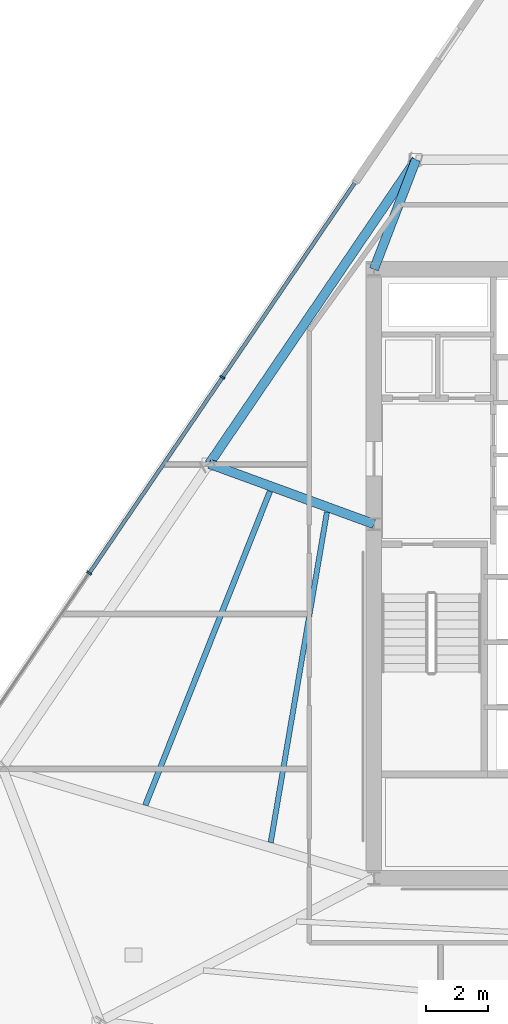
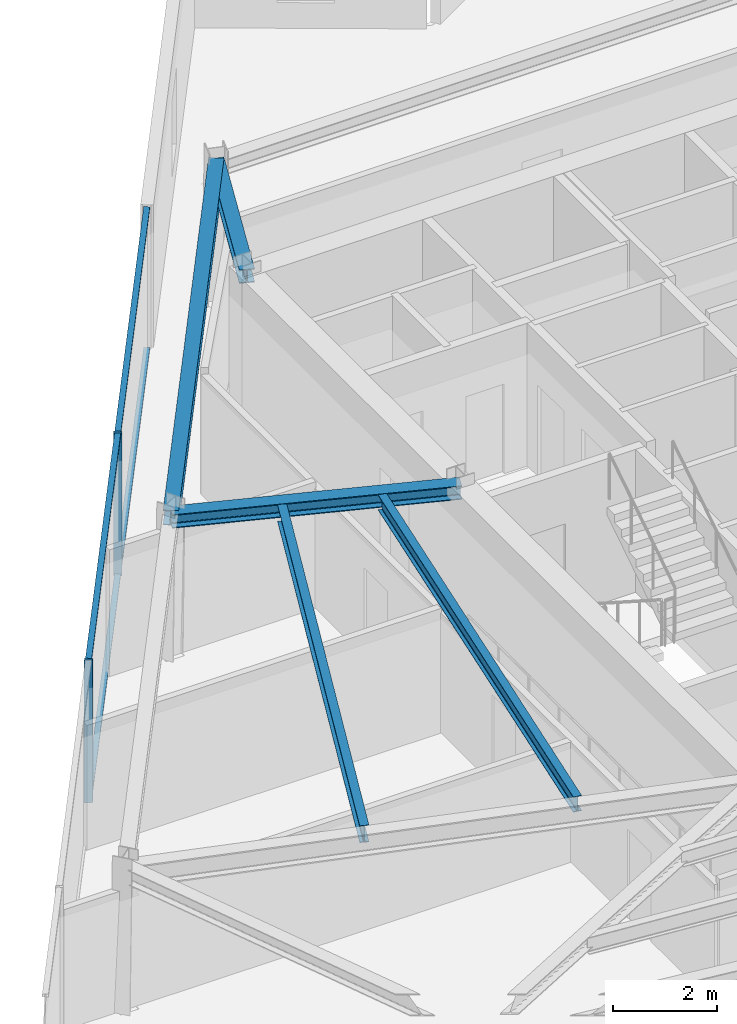
# One storey, part 4 of 13: 6 members, 5 beams, 1 element without a shape of its own.
"""IFC4 building model written with IfcOpenShell, lengths in metres."""

from ifc_helpers import new_model, si_unit, direction, frame, origin, origin_2d, place, context, subcontext, project, spatial, rectangle, i_section, extrude, material, material_profile, profile_set, type_object, element, aggregate, save


model = new_model("IFC4")

# Units and contexts
model_context = context("Model", 3, precision=1e-05, world=origin(), true_north=direction((0.0, 1.0)))
body_context = subcontext(model_context, "Body", "Model", "MODEL_VIEW")
ifc_project = project(units=[si_unit("LENGTHUNIT", "METRE"), si_unit("AREAUNIT", "SQUARE_METRE"), si_unit("VOLUMEUNIT", "CUBIC_METRE"), si_unit("PLANEANGLEUNIT", "RADIAN"), si_unit("MASSUNIT", "GRAM", prefix="KILO")], contexts=[model_context])

# Site, building, storey
site_placement = place(None, origin())
site = spatial("IfcSite", under=ifc_project, at=site_placement, CompositionType="ELEMENT")
building_placement = place(site_placement, origin())
building = spatial("IfcBuilding", under=site, at=building_placement, Name="Savorim Split Tower", CompositionType="ELEMENT")
storey_placement = place(building_placement, frame((0.0, 0.0, 216.300048828125)))
storey = spatial("IfcBuildingStorey", under=building, at=storey_placement, Name="L57", CompositionType="ELEMENT", Elevation=216.300048828125)

# Beams
ifc_material_1 = material(Name="Steel S355", Category="steel")
ifc_material_profile_1 = material_profile(ifc_material_1, i_section(OverallWidth=0.169921875, OverallDepth=0.360107421875, WebThickness=0.008056640625, FlangeThickness=0.0126953125, FilletRadius=0.01806640625, at=origin_2d()), Name="IPE 360")
ifc_profile_set_1 = profile_set([ifc_material_profile_1], Name="Steel S355")
beam_type_1 = type_object("IfcBeamType", Name="BM-JST-IPE360", PredefinedType="JOIST", material=ifc_profile_set_1)
beam_1_placement = place(storey_placement, frame((-9.211181640625, 2.385498046875, 3.169921875), z_axis=(-0.16782275074, -0.985817186061, 0.0), x_axis=(0.985817186061, -0.16782275074, 0.0)))
element("IfcBeam", 1, at=beam_1_placement, inside=storey, type_object=beam_type_1, Name="L57 Secondary Floor Joist JS-11", PredefinedType="JOIST", context=body_context, shape_type="SweptSolid", body=[
    extrude(i_section(OverallWidth=0.169921875, OverallDepth=0.360107421875, WebThickness=0.008056640625, FlangeThickness=0.0126953125, FilletRadius=0.01806640625, at=origin_2d()), origin(), (0.0, 0.0, 1.0), 10.78564453125),
])
ifc_material_profile_2 = material_profile(ifc_material_1, i_section(OverallWidth=0.179931640625, OverallDepth=0.39990234375, WebThickness=0.008544921875, FlangeThickness=0.013427734375, FilletRadius=0.02099609375, at=origin_2d()), Name="IPE 400")
ifc_profile_set_2 = profile_set([ifc_material_profile_2], Name="Steel S355")
beam_type_2 = type_object("IfcBeamType", Name="BM-JST-IPE400", PredefinedType="JOIST", material=ifc_profile_set_2)
beam_2_placement = place(storey_placement, frame((-11.04541015625, 3.05419921875, 3.14990234375), z_axis=(-0.368902818787, -0.929467971633, 0.0), x_axis=(0.929467971633, -0.368902818787, 0.0)))
element("IfcBeam", 2, at=beam_2_placement, inside=storey, type_object=beam_type_2, Name="L57 Secondary Floor Joist JS-10", PredefinedType="JOIST", context=body_context, shape_type="SweptSolid", body=[
    extrude(i_section(OverallWidth=0.179931640625, OverallDepth=0.39990234375, WebThickness=0.008544921875, FlangeThickness=0.013427734375, FilletRadius=0.02099609375, at=origin_2d()), origin(), (0.0, 0.0, 1.0), 10.8681640625),
])
ifc_material_profile_3 = material_profile(ifc_material_1, i_section(OverallWidth=0.300048828125, OverallDepth=0.320068359375, WebThickness=0.011474609375, FlangeThickness=0.0205078125, FilletRadius=0.027099609375, at=origin_2d()), Name="HEB 320")
ifc_profile_set_3 = profile_set([ifc_material_profile_3], Name="Steel S355")
beam_type_3 = type_object("IfcBeamType", Name="BM-PRI-HEB320", PredefinedType="BEAM", material=ifc_profile_set_3)
beam_3_placement = place(storey_placement, frame((-6.343994140625, 13.725341796875, 3.18994140625), z_axis=(-0.358987741836, -0.933342274416, 0.0), x_axis=(0.933342274416, -0.358987741836, 0.0)))
element("IfcBeam", 3, at=beam_3_placement, inside=storey, type_object=beam_type_3, Name="L57 Primary Floor Girder RG-08", PredefinedType="BEAM", context=body_context, shape_type="SweptSolid", body=[
    extrude(i_section(OverallWidth=0.300048828125, OverallDepth=0.320068359375, WebThickness=0.011474609375, FlangeThickness=0.0205078125, FilletRadius=0.027099609375, at=origin_2d()), origin(), (0.0, 0.0, 1.0), 3.777099609375),
])
beam_4_placement = place(storey_placement, frame((-13.000732421875, 3.93994140625, 3.18994140625), z_axis=(0.939086765813, -0.343680151122, 0.0), x_axis=(0.343680151122, 0.939086765813, 0.0)))
element("IfcBeam", 4, at=beam_4_placement, inside=storey, type_object=beam_type_3, Name="L57 Primary Floor Girder RG-09", PredefinedType="BEAM", context=body_context, shape_type="SweptSolid", body=[
    extrude(i_section(OverallWidth=0.300048828125, OverallDepth=0.320068359375, WebThickness=0.011474609375, FlangeThickness=0.0205078125, FilletRadius=0.027099609375, at=origin_2d()), origin(), (0.0, 0.0, 1.0), 5.64453125),
])
ifc_material_profile_4 = material_profile(ifc_material_1, i_section(OverallWidth=0.300048828125, OverallDepth=0.35009765625, WebThickness=0.010009765625, FlangeThickness=0.017578125, FilletRadius=0.027099609375, at=origin_2d()), Name="HEA 360")
ifc_profile_set_4 = profile_set([ifc_material_profile_4], Name="Steel S355")
beam_type_4 = type_object("IfcBeamType", Name="BM-SPN-HEA360", PredefinedType="SPANDREL", material=ifc_profile_set_4)
beam_5_placement = place(storey_placement, frame((-6.343994140625, 13.725341796875, 3.175048828125), z_axis=(-0.562464050335, -0.826821741417, 0.0), x_axis=(0.826821741417, -0.562464050335, 0.0)))
element("IfcBeam", 5, at=beam_5_placement, inside=storey, type_object=beam_type_4, Name="L57 Perimeter Spandrel Beam 8", PredefinedType="SPANDREL", context=body_context, shape_type="SweptSolid", body=[
    extrude(i_section(OverallWidth=0.300048828125, OverallDepth=0.35009765625, WebThickness=0.010009765625, FlangeThickness=0.017578125, FilletRadius=0.027099609375, at=origin_2d()), origin(), (0.0, 0.0, 1.0), 11.8349609375),
])

# Curtain wall, members
ifc_material_2 = material(Name="Dark Ceramic-Fritted Insulated Glass", Category="glass")
curtain_wall_type = type_object("IfcCurtainWallType", Name="CW-TWR-FRIT-B", PredefinedType="NOTDEFINED", material=ifc_material_2)
curtain_wall_placement = place(storey_placement, origin())
curtain_wall = element("IfcCurtainWall", 6, at=curtain_wall_placement, inside=storey, type_object=curtain_wall_type, Name="L57 Curtain Wall CW-L57-WEST", PredefinedType="NOTDEFINED")
ifc_material_3 = material(Name="Charcoal Anodised Aluminium", Category="aluminium")
ifc_material_profile_5 = material_profile(ifc_material_3, rectangle(XDim=0.159912109375, YDim=0.06005859375, at=origin_2d()), Name="ALU-M 160x60")
ifc_profile_set_5 = profile_set([ifc_material_profile_5], Name="Charcoal Anodised Aluminium")
member_type_1 = type_object("IfcMemberType", Name="CWM-160x60", PredefinedType="MULLION", material=ifc_profile_set_5)
member_1_placement = place(storey_placement, frame((-12.57177734375, 6.72265625, 0.0), z_axis=(0.0, 0.0, 1.0), x_axis=(0.826820907104, -0.562465276773, 0.0)))
member_1 = element("IfcMember", 7, at=member_1_placement, type_object=member_type_1, Name="CW-03 mullion 2", PredefinedType="MULLION", context=body_context, shape_type="SweptSolid", body=[
    extrude(rectangle(XDim=0.159912109375, YDim=0.06005859375, at=origin_2d()), origin(), (0.0, 0.0, 1.0), 3.349853515625),
])
member_2_placement = place(storey_placement, frame((-16.85986328125, 0.419189453125, 0.0), z_axis=(0.0, 0.0, 1.0), x_axis=(0.826820907104, -0.562465276773, 0.0)))
member_2 = element("IfcMember", 8, at=member_2_placement, type_object=member_type_1, Name="CW-03 mullion 3", PredefinedType="MULLION", context=body_context, shape_type="SweptSolid", body=[
    extrude(rectangle(XDim=0.159912109375, YDim=0.06005859375, at=origin_2d()), origin(), (0.0, 0.0, 1.0), 3.349853515625),
])
ifc_material_profile_6 = material_profile(ifc_material_3, rectangle(XDim=0.1201171875, YDim=0.050048828125, at=origin_2d()), Name="ALU-T 120x50")
ifc_profile_set_6 = profile_set([ifc_material_profile_6], Name="Charcoal Anodised Aluminium")
member_type_2 = type_object("IfcMemberType", Name="CWT-120x50", PredefinedType="USERDEFINED", material=ifc_profile_set_6)
member_3_placement = place(storey_placement, frame((-8.317626953125, 12.976318359375, 0.02490234375), z_axis=(-0.562453610104, -0.826828843523, 0.0), x_axis=(0.826828843523, -0.562453610104, 0.0)))
member_3 = element("IfcMember", 9, at=member_3_placement, type_object=member_type_2, Name="CW-03 transom 1.1", ObjectType="TRANSOM", PredefinedType="USERDEFINED", context=body_context, shape_type="SweptSolid", body=[
    extrude(rectangle(XDim=0.1201171875, YDim=0.050048828125, at=origin_2d()), origin(), (0.0, 0.0, 1.0), 7.53369140625),
])
member_4_placement = place(storey_placement, frame((-8.317626953125, 12.976318359375, 3.324951171875), z_axis=(-0.562453610104, -0.826828843523, 0.0), x_axis=(0.826828843523, -0.562453610104, 0.0)))
member_4 = element("IfcMember", 10, at=member_4_placement, type_object=member_type_2, Name="CW-03 transom 1.2", ObjectType="TRANSOM", PredefinedType="USERDEFINED", context=body_context, shape_type="SweptSolid", body=[
    extrude(rectangle(XDim=0.1201171875, YDim=0.050048828125, at=origin_2d()), origin(), (0.0, 0.0, 1.0), 7.53369140625),
])
member_5_placement = place(storey_placement, frame((-12.588623046875, 6.69775390625, 0.02490234375), z_axis=(-0.562460105571, -0.826824424918, 0.0), x_axis=(0.826824424918, -0.562460105571, 0.0)))
member_5 = element("IfcMember", 11, at=member_5_placement, type_object=member_type_2, Name="CW-03 transom 2.1", ObjectType="TRANSOM", PredefinedType="USERDEFINED", context=body_context, shape_type="SweptSolid", body=[
    extrude(rectangle(XDim=0.1201171875, YDim=0.050048828125, at=origin_2d()), origin(), (0.0, 0.0, 1.0), 7.5634765625),
])
member_6_placement = place(storey_placement, frame((-12.588623046875, 6.69775390625, 3.324951171875), z_axis=(-0.562460105571, -0.826824424918, 0.0), x_axis=(0.826824424918, -0.562460105571, 0.0)))
member_6 = element("IfcMember", 12, at=member_6_placement, type_object=member_type_2, Name="CW-03 transom 2.2", ObjectType="TRANSOM", PredefinedType="USERDEFINED", context=body_context, shape_type="SweptSolid", body=[
    extrude(rectangle(XDim=0.1201171875, YDim=0.050048828125, at=origin_2d()), origin(), (0.0, 0.0, 1.0), 7.5634765625),
])
aggregate(curtain_wall, [member_1, member_2, member_3, member_4, member_5, member_6])

save(model, "model.ifc")
